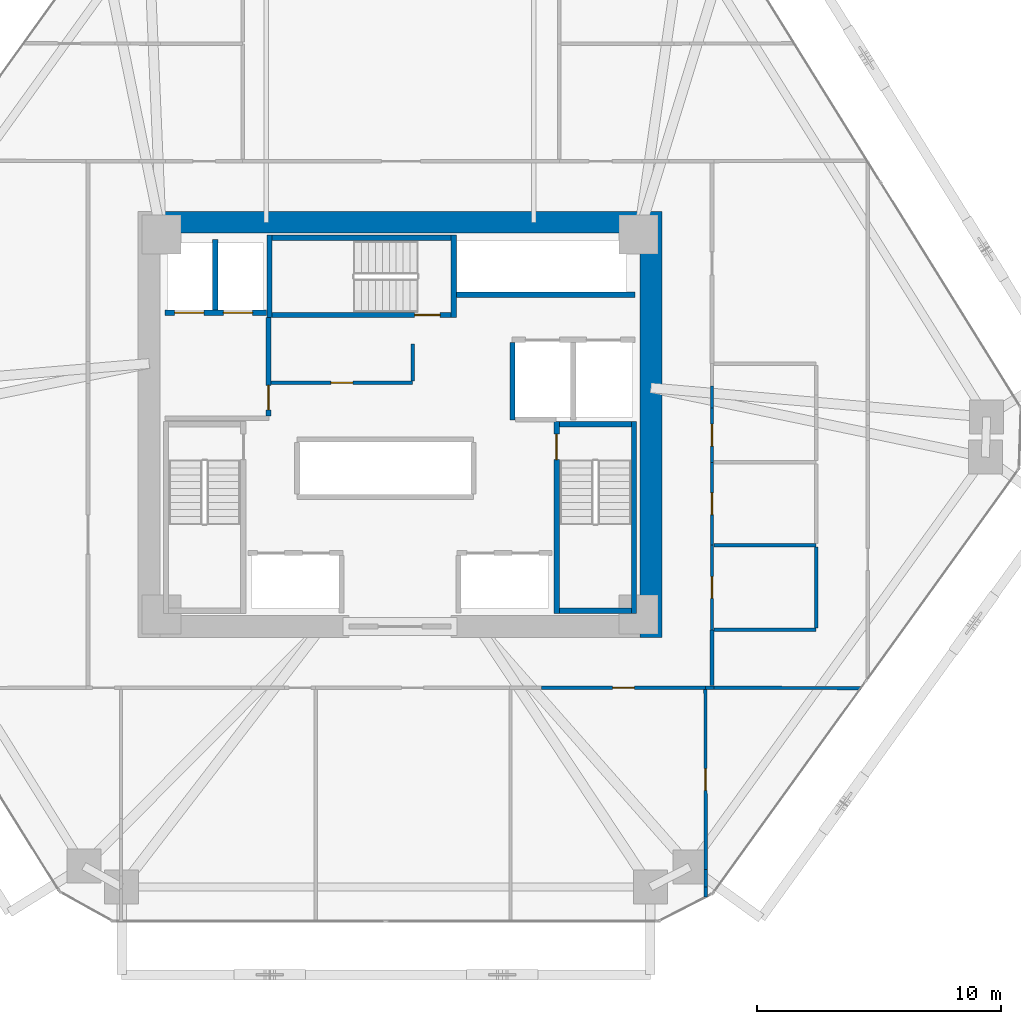
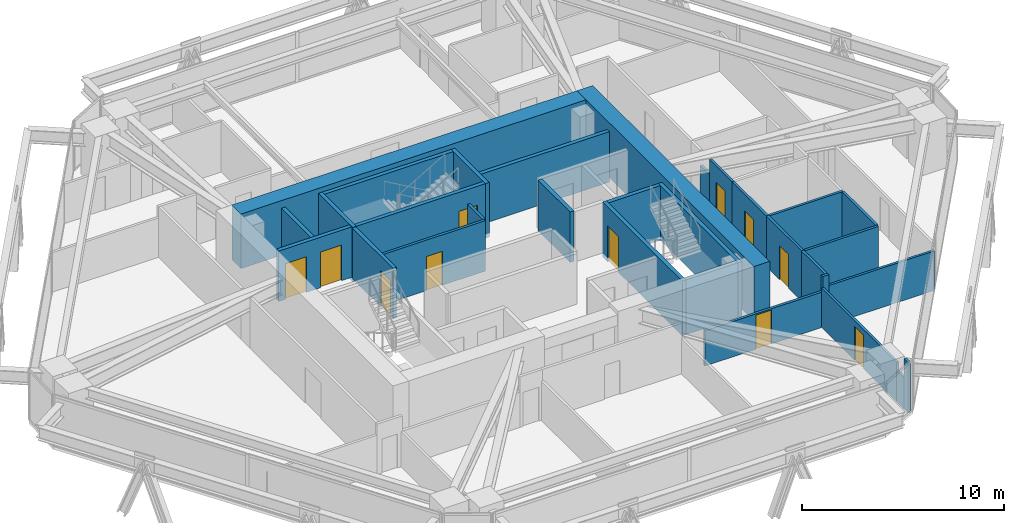
# One storey, part 14 of 17: 31 walls, 11 doors, 11 openings.
"""IFC4 building model written with IfcOpenShell, lengths in metres."""

from ifc_helpers import new_model, si_unit, direction, frame, frame_2d, origin, place, context, subcontext, project, spatial, rectangle, extrude, source, transform, mapped, material, layer, layer_set, type_object, type_shapes, element, fill, save


model = new_model("IFC4")

# Units and contexts
model_context = context("Model", 3, precision=1e-05, world=origin(), true_north=direction((0.0, 1.0)))
body_context = subcontext(model_context, "Body", "Model", "MODEL_VIEW")
ifc_project = project(units=[si_unit("LENGTHUNIT", "METRE"), si_unit("AREAUNIT", "SQUARE_METRE"), si_unit("VOLUMEUNIT", "CUBIC_METRE"), si_unit("PLANEANGLEUNIT", "RADIAN"), si_unit("MASSUNIT", "GRAM", prefix="KILO")], contexts=[model_context])

# Site, building, storey
site_placement = place(None, origin())
site = spatial("IfcSite", under=ifc_project, at=site_placement, CompositionType="ELEMENT")
building_placement = place(site_placement, origin())
building = spatial("IfcBuilding", under=site, at=building_placement, Name="Durnholm Broadcast Tower", CompositionType="ELEMENT")
storey_placement = place(building_placement, frame((0.0, 0.0, 58.800048828125)))
storey = spatial("IfcBuildingStorey", under=building, at=storey_placement, Name="L14", CompositionType="ELEMENT", Elevation=58.800048828125)

# Walls
ifc_material_1 = material(Name="Concrete C70/85", Category="concrete")
ifc_layer_1 = layer(ifc_material_1, 0.89990234375)
ifc_layer_set_1 = layer_set([ifc_layer_1], Name="Concrete C70/85")
wall_type_1 = type_object("IfcWallType", Name="WALL-CW-900", PredefinedType="SHEAR", material=ifc_layer_set_1)
wall_1_placement = place(storey_placement, frame((10.300048828125, -8.75, 0.0), z_axis=(0.0, 0.0, 1.0), x_axis=(0.0, 1.0, 0.0)))
element("IfcWall", 1, at=wall_1_placement, inside=storey, type_object=wall_type_1, Name="L14 central core shear wall CW-EAST", PredefinedType="SHEAR", context=body_context, shape_type="SweptSolid", body=[
    extrude(rectangle(XDim=17.5, YDim=0.89990234375, at=frame_2d((8.75, 0.0))), origin(), (0.0, 0.0, 1.0), 3.300048828125),
])
wall_2_placement = place(storey_placement, frame((-9.85009765625, 8.300048828125, 0.0), z_axis=(0.0, 0.0, 1.0), x_axis=(1.0, 0.0, 0.0)))
element("IfcWall", 2, at=wall_2_placement, inside=storey, type_object=wall_type_1, Name="L14 central core shear wall CW-N", PredefinedType="SHEAR", context=body_context, shape_type="SweptSolid", body=[
    extrude(rectangle(XDim=19.7001953125, YDim=0.89990234375, at=frame_2d((9.85009765625, 0.0))), origin(), (0.0, 0.0, 1.0), 3.300048828125),
])

# Wall, opening, door
ifc_material_2 = material(Name="Fire-Rated Gypsum Shaftwall", Category="concrete")
ifc_layer_2 = layer(ifc_material_2, 0.199951171875)
ifc_layer_set_2 = layer_set([ifc_layer_2], Name="Fire-Rated Gypsum Shaftwall")
wall_type_2 = type_object("IfcWallType", Name="WALL-LOB-200", PredefinedType="SOLIDWALL", material=ifc_layer_set_2)
wall_3_placement = place(storey_placement, frame((-5.39990234375, 0.35400390625, 0.0), z_axis=(0.0, 0.0, 1.0), x_axis=(0.0, 1.0, 0.0)))
wall_3 = element("IfcWall", 3, at=wall_3_placement, inside=storey, type_object=wall_type_2, Name="L14 Fire Service Access Elevator lobby east fire wall", PredefinedType="SOLIDWALL", context=body_context, shape_type="SweptSolid", body=[
    extrude(rectangle(XDim=4.02587890625, YDim=0.199951171875, at=frame_2d((2.012939453125, 0.0))), origin(), (0.0, 0.0, 1.0), 3.044921875),
])
opening_1_placement = place(wall_3_placement, frame((0.24609375, 0.0, 0.0)))
opening_1 = element("IfcOpeningElement", 4, at=opening_1_placement, cuts=wall_3, Name="Opening DL-60L", PredefinedType="OPENING", context=body_context, shape_type="SweptSolid", body=[
    extrude(rectangle(XDim=1.0, YDim=2.14990234375, at=frame_2d((0.5, 1.074951171875))), frame((0.0, 0.10986328125, 0.0), z_axis=(0.0, -1.0, 0.0), x_axis=(1.0, 0.0, 0.0)), (0.0, 0.0, 1.0), 0.219970703125),
])
ifc_material_3 = material(Name="Fire-Rated Timber/Steel Door", Category="steel")
ifc_layer_3 = layer(ifc_material_3, 0.050048828125)
ifc_layer_set_3 = layer_set([ifc_layer_3], Name="Fire-Rated Timber/Steel Door")
door_type_1 = type_object("IfcDoorType", Name="DOOR-LOB-FD60-L", OperationType="NOTDEFINED", PredefinedType="DOOR", material=ifc_layer_set_3)
shared_shape_1 = source(origin(), body_context, "Body", "SweptSolid", [
    extrude(rectangle(XDim=1.0, YDim=2.14990234375, at=frame_2d((0.5, 1.074951171875))), frame((0.0, 0.02490234375, 0.0), z_axis=(0.0, -1.0, 0.0), x_axis=(1.0, 0.0, 0.0)), (0.0, 0.0, 1.0), 0.050048828125),
])
type_shapes(door_type_1, [shared_shape_1])
door_1_placement = place(opening_1_placement, origin())
door_1 = element("IfcDoor", 5, at=door_1_placement, inside=storey, type_object=door_type_1, Name="L14 Fire Service Access Elevator lobby smoke door", OperationType="SINGLE_SWING_LEFT", OverallHeight=2.14990234375, OverallWidth=1.0, PredefinedType="DOOR", context=body_context, shape_type="MappedRepresentation", body=[
    mapped(shared_shape_1, transform((0.0, 0.0, 0.0), x_axis=(1.0, 0.0, 0.0), y_axis=(0.0, 1.0, 0.0), z_axis=(0.0, 0.0, 1.0), scale=1.0)),
])
fill(opening_1, door_1)

ifc_material_4 = material(Name="Gypsum Metal Stud Partition", Category="concrete")
ifc_layer_4 = layer(ifc_material_4, 0.135009765625)
ifc_layer_set_4 = layer_set([ifc_layer_4], Name="Gypsum Metal Stud Partition")
wall_type_3 = type_object("IfcWallType", Name="WALL-PART-135", PredefinedType="PARTITIONING", material=ifc_layer_set_4)
wall_4_placement = place(storey_placement, frame((12.540283203125, -10.888916015625, 0.0), z_axis=(0.0, 0.0, 1.0), x_axis=(0.002115348101, -0.999997762649, 0.0)))
wall_4 = element("IfcWall", 6, at=wall_4_placement, inside=storey, type_object=wall_type_3, Name="L14 room dividing partition 13.14", PredefinedType="PARTITIONING", context=body_context, shape_type="SweptSolid", body=[
    extrude(rectangle(XDim=7.386474609375, YDim=0.135009765625, at=frame_2d((3.693359375, 0.0))), origin(), (0.0, 0.0, 1.0), 2.3798828125),
])
opening_2_placement = place(wall_4_placement, frame((3.2431640625, 0.0, 0.0)))
opening_2 = element("IfcOpeningElement", 7, at=opening_2_placement, cuts=wall_4, Name="Opening DW-90L", PredefinedType="OPENING", context=body_context, shape_type="SweptSolid", body=[
    extrude(rectangle(XDim=0.89990234375, YDim=2.050048828125, at=frame_2d((0.449951171875, 1.02490234375))), frame((0.0, 0.07763671875, 0.0), z_axis=(0.0, -1.0, 0.0), x_axis=(1.0, 0.0, 0.0)), (0.0, 0.0, 1.0), 0.155029296875),
])
ifc_material_5 = material(Name="Laminate Restroom Door", Category="steel")
ifc_layer_5 = layer(ifc_material_5, 0.050048828125)
ifc_layer_set_5 = layer_set([ifc_layer_5], Name="Laminate Restroom Door")
door_type_2 = type_object("IfcDoorType", Name="DOOR-WC-900L", OperationType="NOTDEFINED", PredefinedType="DOOR", material=ifc_layer_set_5)
shared_shape_2 = source(origin(), body_context, "Body", "SweptSolid", [
    extrude(rectangle(XDim=0.89990234375, YDim=2.050048828125, at=frame_2d((0.449951171875, 1.02490234375))), frame((0.0, 0.02490234375, 0.0), z_axis=(0.0, -1.0, 0.0), x_axis=(1.0, 0.0, 0.0)), (0.0, 0.0, 1.0), 0.050048828125),
])
type_shapes(door_type_2, [shared_shape_2])
door_2_placement = place(opening_2_placement, origin())
door_2 = element("IfcDoor", 8, at=door_2_placement, inside=storey, type_object=door_type_2, Name="L14 Investigative Meeting Room connecting door", OperationType="SINGLE_SWING_LEFT", OverallHeight=2.050048828125, OverallWidth=0.89990234375, PredefinedType="DOOR", context=body_context, shape_type="MappedRepresentation", body=[
    mapped(shared_shape_2, transform((0.0, 0.0, 0.0), x_axis=(1.0, 0.0, 0.0), y_axis=(0.0, 1.0, 0.0), z_axis=(0.0, 0.0, 1.0), scale=1.0)),
])
fill(opening_2, door_2)

# Walls
wall_5_placement = place(storey_placement, frame((12.557373046875, -18.99755859375, 0.0), z_axis=(0.0, 0.0, 1.0), x_axis=(0.001783588126, -0.999998409405, 0.0)))
element("IfcWall", 9, at=wall_5_placement, inside=storey, type_object=wall_type_3, Name="L14 room dividing partition 13.14", PredefinedType="PARTITIONING", context=body_context, shape_type="SweptSolid", body=[
    extrude(rectangle(XDim=0.41064453125, YDim=0.135009765625, at=frame_2d((0.205322265625, 0.0))), origin(), (0.0, 0.0, 1.0), 3.044921875),
])
wall_6_placement = place(storey_placement, frame((12.555908203125, -18.275390625, 0.0), z_axis=(0.0, 0.0, 1.0), x_axis=(0.002028393393, -0.999997942808, 0.0)))
element("IfcWall", 10, at=wall_6_placement, inside=storey, type_object=wall_type_3, Name="L14 room dividing partition 13.14", PredefinedType="PARTITIONING", context=body_context, shape_type="SweptSolid", body=[
    extrude(rectangle(XDim=0.72216796875, YDim=0.135009765625, at=frame_2d((0.361083984375, 0.0))), origin(), (0.0, 0.0, 1.0), 1.877197265625),
])
wall_7_placement = place(storey_placement, frame((12.889892578125, -10.810302734375, 0.0), z_axis=(0.0, 0.0, 1.0), x_axis=(0.999992607823, -0.003845035728, 0.0)))
element("IfcWall", 11, at=wall_7_placement, inside=storey, type_object=wall_type_3, Name="L14 room dividing partition 14.16", PredefinedType="PARTITIONING", context=body_context, shape_type="SweptSolid", body=[
    extrude(rectangle(XDim=6.031982421875, YDim=0.135009765625, at=frame_2d((3.01611328125, 0.0))), origin(), (0.0, 0.0, 1.0), 2.3798828125),
])

# Wall, opening, door
ifc_material_6 = material(Name="Acoustic Gypsum Stud Partition", Category="concrete")
ifc_layer_6 = layer(ifc_material_6, 0.14990234375)
ifc_layer_set_6 = layer_set([ifc_layer_6], Name="Acoustic Gypsum Stud Partition")
wall_type_4 = type_object("IfcWallType", Name="WALL-PART-150", PredefinedType="PARTITIONING", material=ifc_layer_set_6)
wall_8_placement = place(storey_placement, frame((0.52001953125, 1.7099609375, 0.0), z_axis=(0.0, 0.0, 1.0), x_axis=(-1.0, 0.0, 0.0)))
wall_8 = element("IfcWall", 12, at=wall_8_placement, inside=storey, type_object=wall_type_4, Name="L14 Core Housekeeping Room corridor partition", PredefinedType="PARTITIONING", context=body_context, shape_type="SweptSolid", body=[
    extrude(rectangle(XDim=5.81591796875, YDim=0.14990234375, at=frame_2d((2.907958984375, 0.0))), origin(), (0.0, 0.0, 1.0), 3.044921875),
])
opening_3_placement = place(wall_8_placement, frame((2.4580078125, 0.0, 0.0)))
opening_3 = element("IfcOpeningElement", 13, at=opening_3_placement, cuts=wall_8, Name="Opening DC-60R", PredefinedType="OPENING", context=body_context, shape_type="SweptSolid", body=[
    extrude(rectangle(XDim=0.89990234375, YDim=2.050048828125, at=frame_2d((0.449951171875, 1.02490234375))), frame((0.0, 0.0849609375, 0.0), z_axis=(0.0, -1.0, 0.0), x_axis=(1.0, 0.0, 0.0)), (0.0, 0.0, 1.0), 0.169921875),
])
ifc_material_7 = material(Name="Fire-Rated Core Service Door", Category="steel")
ifc_layer_7 = layer(ifc_material_7, 0.050048828125)
ifc_layer_set_7 = layer_set([ifc_layer_7], Name="Fire-Rated Core Service Door")
door_type_3 = type_object("IfcDoorType", Name="DOOR-CORE-FD60-R", OperationType="NOTDEFINED", PredefinedType="DOOR", material=ifc_layer_set_7)
shared_shape_3 = source(origin(), body_context, "Body", "SweptSolid", [
    extrude(rectangle(XDim=0.89990234375, YDim=2.050048828125, at=frame_2d((0.449951171875, 1.02490234375))), frame((0.0, 0.02490234375, 0.0), z_axis=(0.0, -1.0, 0.0), x_axis=(1.0, 0.0, 0.0)), (0.0, 0.0, 1.0), 0.050048828125),
])
type_shapes(door_type_3, [shared_shape_3])
door_3_placement = place(opening_3_placement, origin())
door_3 = element("IfcDoor", 14, at=door_3_placement, inside=storey, type_object=door_type_3, Name="L14 Core Housekeeping Room entrance door", OperationType="SINGLE_SWING_RIGHT", OverallHeight=2.050048828125, OverallWidth=0.89990234375, PredefinedType="DOOR", context=body_context, shape_type="MappedRepresentation", body=[
    mapped(shared_shape_3, transform((0.0, 0.0, 0.0), x_axis=(1.0, 0.0, 0.0), y_axis=(0.0, 1.0, 0.0), z_axis=(0.0, 0.0, 1.0), scale=1.0)),
])
fill(opening_3, door_3)

# Wall
wall_9_placement = place(storey_placement, frame((0.52001953125, 3.300048828125, 0.0), z_axis=(0.0, 0.0, 1.0), x_axis=(0.0, -1.0, 0.0)))
element("IfcWall", 15, at=wall_9_placement, inside=storey, type_object=wall_type_4, Name="L14 Core Housekeeping Room corridor partition", PredefinedType="PARTITIONING", context=body_context, shape_type="SweptSolid", body=[
    extrude(rectangle(XDim=1.510986328125, YDim=0.14990234375, at=frame_2d((0.75537109375, 0.0))), origin(), (0.0, 0.0, 1.0), 3.044921875),
])

# Wall, opening, door
wall_10_placement = place(storey_placement, frame((5.8173828125, -10.81005859375, 0.0), z_axis=(0.0, 0.0, 1.0), x_axis=(1.0, 0.0, 0.0)))
wall_10 = element("IfcWall", 16, at=wall_10_placement, inside=storey, type_object=wall_type_4, Name="L14 Open Plan Broadcast Workspace 4 corridor partition", PredefinedType="PARTITIONING", context=body_context, shape_type="SweptSolid", body=[
    extrude(rectangle(XDim=6.72265625, YDim=0.14990234375, at=frame_2d((3.361328125, 0.0))), origin(), (0.0, 0.0, 1.0), 2.130126953125),
])
opening_4_placement = place(wall_10_placement, frame((2.911376953125, 0.0, 0.0)))
opening_4 = element("IfcOpeningElement", 17, at=opening_4_placement, cuts=wall_10, Name="Opening DW-90R", PredefinedType="OPENING", context=body_context, shape_type="SweptSolid", body=[
    extrude(rectangle(XDim=0.89990234375, YDim=2.050048828125, at=frame_2d((0.449951171875, 1.02490234375))), frame((0.0, 0.0849609375, 0.0), z_axis=(0.0, -1.0, 0.0), x_axis=(1.0, 0.0, 0.0)), (0.0, 0.0, 1.0), 0.169921875),
])
ifc_layer_8 = layer(ifc_material_5, 0.050048828125)
ifc_layer_set_8 = layer_set([ifc_layer_8], Name="Laminate Restroom Door")
door_type_4 = type_object("IfcDoorType", Name="DOOR-WC-900R", OperationType="NOTDEFINED", PredefinedType="DOOR", material=ifc_layer_set_8)
shared_shape_4 = source(origin(), body_context, "Body", "SweptSolid", [
    extrude(rectangle(XDim=0.89990234375, YDim=2.050048828125, at=frame_2d((0.449951171875, 1.02490234375))), frame((0.0, 0.02490234375, 0.0), z_axis=(0.0, -1.0, 0.0), x_axis=(1.0, 0.0, 0.0)), (0.0, 0.0, 1.0), 0.050048828125),
])
type_shapes(door_type_4, [shared_shape_4])
door_4_placement = place(opening_4_placement, origin())
door_4 = element("IfcDoor", 18, at=door_4_placement, inside=storey, type_object=door_type_4, Name="L14 Open Plan Broadcast Workspace 4 entrance door", OperationType="SINGLE_SWING_RIGHT", OverallHeight=2.050048828125, OverallWidth=0.89990234375, PredefinedType="DOOR", context=body_context, shape_type="MappedRepresentation", body=[
    mapped(shared_shape_4, transform((0.0, 0.0, 0.0), x_axis=(1.0, 0.0, 0.0), y_axis=(0.0, 1.0, 0.0), z_axis=(0.0, 0.0, 1.0), scale=1.0)),
])
fill(opening_4, door_4)

# Walls
wall_11_placement = place(storey_placement, frame((12.5400390625, -10.81005859375, 0.0), z_axis=(0.0, 0.0, 1.0), x_axis=(1.0, 0.0, 0.0)))
element("IfcWall", 19, at=wall_11_placement, inside=storey, type_object=wall_type_4, Name="L14 Investigative Meeting Room corridor partition", PredefinedType="PARTITIONING", context=body_context, shape_type="SweptSolid", body=[
    extrude(rectangle(XDim=0.349853515625, YDim=0.14990234375, at=frame_2d((0.1748046875, 0.0))), origin(), (0.0, 0.0, 1.0), 3.044921875),
])
wall_12_placement = place(storey_placement, frame((12.81005859375, -10.73095703125, 0.0), z_axis=(0.0, 0.0, 1.0), x_axis=(0.0, 1.0, 0.0)))
element("IfcWall", 20, at=wall_12_placement, inside=storey, type_object=wall_type_4, Name="L14 Sound Review Lounge corridor partition", PredefinedType="PARTITIONING", context=body_context, shape_type="SweptSolid", body=[
    extrude(rectangle(XDim=2.291015625, YDim=0.14990234375, at=frame_2d((1.1455078125, 0.0))), origin(), (0.0, 0.0, 1.0), 3.044921875),
])

# Wall, openings, doors
ifc_material_8 = material(Name="Concrete Blockwork C30/37", Category="masonry")
ifc_layer_9 = layer(ifc_material_8, 0.219970703125)
ifc_layer_set_9 = layer_set([ifc_layer_9], Name="Concrete Blockwork C30/37")
wall_type_5 = type_object("IfcWallType", Name="WALL-SHAFT-220", PredefinedType="SOLIDWALL", material=ifc_layer_set_9)
wall_13_placement = place(storey_placement, frame((-9.64990234375, 4.580078125, 0.0), z_axis=(0.0, 0.0, 1.0), x_axis=(1.0, 0.0, 0.0)))
wall_13 = element("IfcWall", 21, at=wall_13_placement, inside=storey, type_object=wall_type_5, Name="L14 FSAE hoistway front fire wall", PredefinedType="SOLIDWALL", context=body_context, shape_type="SweptSolid", body=[
    extrude(rectangle(XDim=4.1748046875, YDim=0.219970703125, at=frame_2d((2.08740234375, 0.0))), origin(), (0.0, 0.0, 1.0), 3.044921875),
])
opening_5_placement = place(wall_13_placement, frame((0.39990234375, 0.0, 0.0)))
opening_5 = element("IfcOpeningElement", 22, at=opening_5_placement, cuts=wall_13, Name="Opening LD-FSAE-2", PredefinedType="OPENING", context=body_context, shape_type="SweptSolid", body=[
    extrude(rectangle(XDim=1.199951171875, YDim=2.14990234375, at=frame_2d((0.60009765625, 1.074951171875))), frame((0.0, 0.1201171875, 0.0), z_axis=(0.0, -1.0, 0.0), x_axis=(1.0, 0.0, 0.0)), (0.0, 0.0, 1.0), 0.239990234375),
])
opening_6_placement = place(wall_13_placement, frame((2.39990234375, 0.0, 0.0)))
opening_6 = element("IfcOpeningElement", 23, at=opening_6_placement, cuts=wall_13, Name="Opening LD-FSAE-1", PredefinedType="OPENING", context=body_context, shape_type="SweptSolid", body=[
    extrude(rectangle(XDim=1.199951171875, YDim=2.14990234375, at=frame_2d((0.60009765625, 1.074951171875))), frame((0.0, 0.1201171875, 0.0), z_axis=(0.0, -1.0, 0.0), x_axis=(1.0, 0.0, 0.0)), (0.0, 0.0, 1.0), 0.239990234375),
])
ifc_material_9 = material(Name="Fire Service Access Sliding Landing Door", Category="steel")
ifc_layer_10 = layer(ifc_material_9, 0.050048828125)
ifc_layer_set_10 = layer_set([ifc_layer_10], Name="Fire Service Access Sliding Landing Door")
door_type_5 = type_object("IfcDoorType", Name="DOOR-LIFT-FSAE", OperationType="DOUBLE_DOOR_SLIDING", PredefinedType="DOOR", material=ifc_layer_set_10)
shared_shape_5 = source(origin(), body_context, "Body", "SweptSolid", [
    extrude(rectangle(XDim=1.199951171875, YDim=2.14990234375, at=frame_2d((0.60009765625, 1.074951171875))), frame((0.0, 0.02490234375, 0.0), z_axis=(0.0, -1.0, 0.0), x_axis=(1.0, 0.0, 0.0)), (0.0, 0.0, 1.0), 0.050048828125),
])
type_shapes(door_type_5, [shared_shape_5])
door_5_placement = place(opening_5_placement, origin())
door_5 = element("IfcDoor", 24, at=door_5_placement, inside=storey, type_object=door_type_5, Name="L14 Fire Service Access Elevator FSAE-2 sliding landing door", OperationType="DOUBLE_DOOR_SLIDING", OverallHeight=2.14990234375, OverallWidth=1.199951171875, PredefinedType="DOOR", context=body_context, shape_type="MappedRepresentation", body=[
    mapped(shared_shape_5, transform((0.0, 0.0, 0.0), x_axis=(1.0, 0.0, 0.0), y_axis=(0.0, 1.0, 0.0), z_axis=(0.0, 0.0, 1.0), scale=1.0)),
])
fill(opening_5, door_5)
door_6_placement = place(opening_6_placement, origin())
door_6 = element("IfcDoor", 25, at=door_6_placement, inside=storey, type_object=door_type_5, Name="L14 Fire Service Access Elevator FSAE-1 sliding landing door", OperationType="DOUBLE_DOOR_SLIDING", OverallHeight=2.14990234375, OverallWidth=1.199951171875, PredefinedType="DOOR", context=body_context, shape_type="MappedRepresentation", body=[
    mapped(shared_shape_5, transform((0.0, 0.0, 0.0), x_axis=(1.0, 0.0, 0.0), y_axis=(0.0, 1.0, 0.0), z_axis=(0.0, 0.0, 1.0), scale=1.0)),
])
fill(opening_6, door_6)

# Walls
wall_14_placement = place(storey_placement, frame((-7.580078125, 4.694091796875, 0.0), z_axis=(0.0, 0.0, 1.0), x_axis=(0.0, 1.0, 0.0)))
element("IfcWall", 26, at=wall_14_placement, inside=storey, type_object=wall_type_5, Name="L14 FSAE shaft divider wall", PredefinedType="SOLIDWALL", context=body_context, shape_type="SweptSolid", body=[
    extrude(rectangle(XDim=2.906005859375, YDim=0.219970703125, at=frame_2d((1.453125, 0.0))), origin(), (0.0, 0.0, 1.0), 3.044921875),
])
wall_15_placement = place(storey_placement, frame((4.6201171875, 0.179931640625, 0.0), z_axis=(0.0, 0.0, 1.0), x_axis=(0.0, 1.0, 0.0)))
element("IfcWall", 27, at=wall_15_placement, inside=storey, type_object=wall_type_5, Name="L14 freight service lift SVL-2 west wall", PredefinedType="SOLIDWALL", context=body_context, shape_type="SweptSolid", body=[
    extrude(rectangle(XDim=3.18603515625, YDim=0.219970703125, at=frame_2d((1.593017578125, 0.0))), origin(), (0.0, 0.0, 1.0), 3.044921875),
])
wall_16_placement = place(storey_placement, frame((2.324951171875, 5.320068359375, 0.0), z_axis=(0.0, 0.0, 1.0), x_axis=(1.0, 0.0, 0.0)))
element("IfcWall", 28, at=wall_16_placement, inside=storey, type_object=wall_type_5, Name="L14 high-rise bank P3 south front wall", PredefinedType="SOLIDWALL", context=body_context, shape_type="SweptSolid", body=[
    extrude(rectangle(XDim=7.324951171875, YDim=0.219970703125, at=frame_2d((3.66259765625, 0.0))), origin(), (0.0, 0.0, 1.0), 3.044921875),
])
ifc_material_10 = material(Name="Concrete C50/60", Category="concrete")
ifc_layer_11 = layer(ifc_material_10, 0.219970703125)
ifc_layer_set_11 = layer_set([ifc_layer_11], Name="Concrete C50/60")
wall_type_6 = type_object("IfcWallType", Name="WALL-SW-220", PredefinedType="SHEAR", material=ifc_layer_set_11)
wall_17_placement = place(storey_placement, frame((9.610107421875, -7.77001953125, -0.239990234375), z_axis=(0.0, 0.0, 1.0), x_axis=(0.0, 1.0, 0.0)))
element("IfcWall", 29, at=wall_17_placement, inside=storey, type_object=wall_type_6, Name="L14 stair ST-2 structural shaft wall E", PredefinedType="SHEAR", context=body_context, shape_type="SweptSolid", body=[
    extrude(rectangle(XDim=7.89013671875, YDim=0.219970703125, at=frame_2d((3.945068359375, 0.0))), origin(), (0.0, 0.0, 1.0), 3.300048828125),
])

# Wall, opening, door
wall_18_placement = place(storey_placement, frame((6.429931640625, 0.1201171875, -0.239990234375), z_axis=(0.0, 0.0, 1.0), x_axis=(0.0, -1.0, 0.0)))
wall_18 = element("IfcWall", 30, at=wall_18_placement, inside=storey, type_object=wall_type_6, Name="L14 stair ST-2 structural shaft wall W", PredefinedType="SHEAR", context=body_context, shape_type="SweptSolid", body=[
    extrude(rectangle(XDim=7.89013671875, YDim=0.219970703125, at=frame_2d((3.945068359375, 0.0))), origin(), (0.0, 0.0, 1.0), 3.300048828125),
])
opening_7_placement = place(wall_18_placement, frame((0.52001953125, 0.0, 0.0)))
opening_7 = element("IfcOpeningElement", 31, at=opening_7_placement, cuts=wall_18, Name="Opening DS-90R", PredefinedType="OPENING", context=body_context, shape_type="SweptSolid", body=[
    extrude(rectangle(XDim=1.050048828125, YDim=2.14990234375, at=frame_2d((0.52490234375, 1.074951171875))), frame((0.0, 0.1201171875, 0.0), z_axis=(0.0, -1.0, 0.0), x_axis=(1.0, 0.0, 0.0)), (0.0, 0.0, 1.0), 0.239990234375),
])
ifc_material_11 = material(Name="Fire-Rated Steel Door", Category="steel")
ifc_layer_12 = layer(ifc_material_11, 0.050048828125)
ifc_layer_set_12 = layer_set([ifc_layer_12], Name="Fire-Rated Steel Door")
door_type_6 = type_object("IfcDoorType", Name="DOOR-ST-FD90-R", OperationType="NOTDEFINED", PredefinedType="DOOR", material=ifc_layer_set_12)
shared_shape_6 = source(origin(), body_context, "Body", "SweptSolid", [
    extrude(rectangle(XDim=1.050048828125, YDim=2.14990234375, at=frame_2d((0.52490234375, 1.074951171875))), frame((0.0, 0.02490234375, 0.0), z_axis=(0.0, -1.0, 0.0), x_axis=(1.0, 0.0, 0.0)), (0.0, 0.0, 1.0), 0.050048828125),
])
type_shapes(door_type_6, [shared_shape_6])
door_7_placement = place(opening_7_placement, origin())
door_7 = element("IfcDoor", 32, at=door_7_placement, inside=storey, type_object=door_type_6, Name="L14 exit stair ST-2 fire door", OperationType="SINGLE_SWING_RIGHT", OverallHeight=2.14990234375, OverallWidth=1.050048828125, PredefinedType="DOOR", context=body_context, shape_type="MappedRepresentation", body=[
    mapped(shared_shape_6, transform((0.0, 0.0, 0.0), x_axis=(1.0, 0.0, 0.0), y_axis=(0.0, 1.0, 0.0), z_axis=(0.0, 0.0, 1.0), scale=1.0)),
])
fill(opening_7, door_7)

# Walls
for number, where, z_axis, x_axis, name in (
    (33, (6.5400390625, -7.659912109375, -0.239990234375), (0.0, 0.0, 1.0), (1.0, 0.0, 0.0), "L14 stair ST-2 structural shaft wall S"),
    (34, (9.5, 0.010009765625, -0.239990234375), (0.0, 0.0, 1.0), (-1.0, 0.0, 0.0), "L14 stair ST-2 structural shaft wall N"),
):
    element("IfcWall", number, at=place(storey_placement, frame(where, z_axis=z_axis, x_axis=x_axis)), inside=storey, type_object=wall_type_6, Name=name, PredefinedType="SHEAR", context=body_context, shape_type="SweptSolid", body=[
        extrude(rectangle(XDim=2.9599609375, YDim=0.219970703125, at=frame_2d((1.47998046875, 0.0))), origin(), (0.0, 0.0, 1.0), 3.300048828125),
    ])
for number, where, z_axis, x_axis, name in (
    (35, (2.2099609375, 4.3798828125, -0.239990234375), (0.0, 0.0, 1.0), (0.0, 1.0, 0.0), "L14 stair ST-3 structural shaft wall E"),
    (36, (-5.360107421875, 7.780029296875, -0.239990234375), (0.0, 0.0, 1.0), (0.0, -1.0, 0.0), "L14 stair ST-3 structural shaft wall W"),
):
    element("IfcWall", number, at=place(storey_placement, frame(where, z_axis=z_axis, x_axis=x_axis)), inside=storey, type_object=wall_type_6, Name=name, PredefinedType="SHEAR", context=body_context, shape_type="SweptSolid", body=[
        extrude(rectangle(XDim=3.400146484375, YDim=0.219970703125, at=frame_2d((1.7001953125, 0.0))), origin(), (0.0, 0.0, 1.0), 3.300048828125),
    ])

# Wall, opening, door
wall_19_placement = place(storey_placement, frame((-5.25, 4.489990234375, -0.239990234375), z_axis=(0.0, 0.0, 1.0), x_axis=(1.0, 0.0, 0.0)))
wall_19 = element("IfcWall", 37, at=wall_19_placement, inside=storey, type_object=wall_type_6, Name="L14 stair ST-3 structural shaft wall S", PredefinedType="SHEAR", context=body_context, shape_type="SweptSolid", body=[
    extrude(rectangle(XDim=7.35009765625, YDim=0.219970703125, at=frame_2d((3.675048828125, 0.0))), origin(), (0.0, 0.0, 1.0), 3.300048828125),
])
opening_8_placement = place(wall_19_placement, frame((5.85009765625, 0.0, 0.0)))
opening_8 = element("IfcOpeningElement", 38, at=opening_8_placement, cuts=wall_19, Name="Opening DS-90L", PredefinedType="OPENING", context=body_context, shape_type="SweptSolid", body=[
    extrude(rectangle(XDim=1.050048828125, YDim=2.14990234375, at=frame_2d((0.52490234375, 1.074951171875))), frame((0.0, 0.1201171875, 0.0), z_axis=(0.0, -1.0, 0.0), x_axis=(1.0, 0.0, 0.0)), (0.0, 0.0, 1.0), 0.239990234375),
])
ifc_layer_13 = layer(ifc_material_11, 0.050048828125)
ifc_layer_set_13 = layer_set([ifc_layer_13], Name="Fire-Rated Steel Door")
door_type_7 = type_object("IfcDoorType", Name="DOOR-ST-FD90-L", OperationType="NOTDEFINED", PredefinedType="DOOR", material=ifc_layer_set_13)
shared_shape_7 = source(origin(), body_context, "Body", "SweptSolid", [
    extrude(rectangle(XDim=1.050048828125, YDim=2.14990234375, at=frame_2d((0.52490234375, 1.074951171875))), frame((0.0, 0.02490234375, 0.0), z_axis=(0.0, -1.0, 0.0), x_axis=(1.0, 0.0, 0.0)), (0.0, 0.0, 1.0), 0.050048828125),
])
type_shapes(door_type_7, [shared_shape_7])
door_8_placement = place(opening_8_placement, origin())
door_8 = element("IfcDoor", 39, at=door_8_placement, inside=storey, type_object=door_type_7, Name="L14 exit stair ST-3 fire door", OperationType="SINGLE_SWING_LEFT", OverallHeight=2.14990234375, OverallWidth=1.050048828125, PredefinedType="DOOR", context=body_context, shape_type="MappedRepresentation", body=[
    mapped(shared_shape_7, transform((0.0, 0.0, 0.0), x_axis=(1.0, 0.0, 0.0), y_axis=(0.0, 1.0, 0.0), z_axis=(0.0, 0.0, 1.0), scale=1.0)),
])
fill(opening_8, door_8)

# Wall
wall_20_placement = place(storey_placement, frame((2.10009765625, 7.669921875, -0.239990234375), z_axis=(0.0, 0.0, 1.0), x_axis=(-1.0, 0.0, 0.0)))
element("IfcWall", 40, at=wall_20_placement, inside=storey, type_object=wall_type_6, Name="L14 stair ST-3 structural shaft wall N", PredefinedType="SHEAR", context=body_context, shape_type="SweptSolid", body=[
    extrude(rectangle(XDim=7.35009765625, YDim=0.219970703125, at=frame_2d((3.675048828125, 0.0))), origin(), (0.0, 0.0, 1.0), 3.300048828125),
])

# Wall, opening, door
ifc_material_12 = material(Name="Moisture-Resistant Tile Partition", Category="concrete")
ifc_layer_14 = layer(ifc_material_12, 0.139892578125)
ifc_layer_set_14 = layer_set([ifc_layer_14], Name="Moisture-Resistant Tile Partition")
wall_type_7 = type_object("IfcWallType", Name="WALL-WC-140", PredefinedType="PARTITIONING", material=ifc_layer_set_14)
wall_21_placement = place(storey_placement, frame((12.81005859375, -8.43994140625, 0.0), z_axis=(0.0, 0.0, 1.0), x_axis=(0.0, 1.0, 0.0)))
wall_21 = element("IfcWall", 41, at=wall_21_placement, inside=storey, type_object=wall_type_7, Name="L14 Men's Restroom corridor partition", PredefinedType="PARTITIONING", context=body_context, shape_type="SweptSolid", body=[
    extrude(rectangle(XDim=3.47998046875, YDim=0.139892578125, at=frame_2d((1.739990234375, 0.0))), origin(), (0.0, 0.0, 1.0), 3.044921875),
])
opening_9_placement = place(wall_21_placement, frame((1.2900390625, 0.0, 0.0)))
opening_9 = element("IfcOpeningElement", 42, at=opening_9_placement, cuts=wall_21, Name="Opening DW-90L", PredefinedType="OPENING", context=body_context, shape_type="SweptSolid", body=[
    extrude(rectangle(XDim=0.89990234375, YDim=2.050048828125, at=frame_2d((0.449951171875, 1.02490234375))), frame((0.0, 0.080078125, 0.0), z_axis=(0.0, -1.0, 0.0), x_axis=(1.0, 0.0, 0.0)), (0.0, 0.0, 1.0), 0.159912109375),
])
door_9_placement = place(opening_9_placement, origin())
door_9 = element("IfcDoor", 43, at=door_9_placement, inside=storey, type_object=door_type_2, Name="L14 Men's Restroom entrance door", OperationType="SINGLE_SWING_LEFT", OverallHeight=2.050048828125, OverallWidth=0.89990234375, PredefinedType="DOOR", context=body_context, shape_type="MappedRepresentation", body=[
    mapped(shared_shape_2, transform((0.0, 0.0, 0.0), x_axis=(1.0, 0.0, 0.0), y_axis=(0.0, 1.0, 0.0), z_axis=(0.0, 0.0, 1.0), scale=1.0)),
])
fill(opening_9, door_9)

wall_22_placement = place(storey_placement, frame((12.81005859375, -4.9599609375, 0.0), z_axis=(0.0, 0.0, 1.0), x_axis=(0.0, 1.0, 0.0)))
wall_22 = element("IfcWall", 44, at=wall_22_placement, inside=storey, type_object=wall_type_7, Name="L14 Women's Restroom corridor partition", PredefinedType="PARTITIONING", context=body_context, shape_type="SweptSolid", body=[
    extrude(rectangle(XDim=3.39990234375, YDim=0.139892578125, at=frame_2d((1.699951171875, 0.0))), origin(), (0.0, 0.0, 1.0), 3.044921875),
])
opening_10_placement = place(wall_22_placement, frame((1.25, 0.0, 0.0)))
opening_10 = element("IfcOpeningElement", 45, at=opening_10_placement, cuts=wall_22, Name="Opening DW-90R", PredefinedType="OPENING", context=body_context, shape_type="SweptSolid", body=[
    extrude(rectangle(XDim=0.89990234375, YDim=2.050048828125, at=frame_2d((0.449951171875, 1.02490234375))), frame((0.0, 0.080078125, 0.0), z_axis=(0.0, -1.0, 0.0), x_axis=(1.0, 0.0, 0.0)), (0.0, 0.0, 1.0), 0.159912109375),
])
door_10_placement = place(opening_10_placement, origin())
door_10 = element("IfcDoor", 46, at=door_10_placement, inside=storey, type_object=door_type_4, Name="L14 Women's Restroom entrance door", OperationType="SINGLE_SWING_RIGHT", OverallHeight=2.050048828125, OverallWidth=0.89990234375, PredefinedType="DOOR", context=body_context, shape_type="MappedRepresentation", body=[
    mapped(shared_shape_4, transform((0.0, 0.0, 0.0), x_axis=(1.0, 0.0, 0.0), y_axis=(0.0, 1.0, 0.0), z_axis=(0.0, 0.0, 1.0), scale=1.0)),
])
fill(opening_10, door_10)

wall_23_placement = place(storey_placement, frame((12.81005859375, -1.56005859375, 0.0), z_axis=(0.0, 0.0, 1.0), x_axis=(0.0, 1.0, 0.0)))
wall_23 = element("IfcWall", 47, at=wall_23_placement, inside=storey, type_object=wall_type_7, Name="L14 Accessible Restroom corridor partition", PredefinedType="PARTITIONING", context=body_context, shape_type="SweptSolid", body=[
    extrude(rectangle(XDim=2.231201171875, YDim=0.139892578125, at=frame_2d((1.11572265625, 0.0))), origin(), (0.0, 0.0, 1.0), 3.044921875),
])
opening_11_placement = place(wall_23_placement, frame((0.66552734375, 0.0, 0.0)))
opening_11 = element("IfcOpeningElement", 48, at=opening_11_placement, cuts=wall_23, Name="Opening DW-90L", PredefinedType="OPENING", context=body_context, shape_type="SweptSolid", body=[
    extrude(rectangle(XDim=0.89990234375, YDim=2.050048828125, at=frame_2d((0.449951171875, 1.02490234375))), frame((0.0, 0.080078125, 0.0), z_axis=(0.0, -1.0, 0.0), x_axis=(1.0, 0.0, 0.0)), (0.0, 0.0, 1.0), 0.159912109375),
])
door_11_placement = place(opening_11_placement, origin())
door_11 = element("IfcDoor", 49, at=door_11_placement, inside=storey, type_object=door_type_2, Name="L14 Accessible Restroom entrance door", OperationType="SINGLE_SWING_LEFT", OverallHeight=2.050048828125, OverallWidth=0.89990234375, PredefinedType="DOOR", context=body_context, shape_type="MappedRepresentation", body=[
    mapped(shared_shape_2, transform((0.0, 0.0, 0.0), x_axis=(1.0, 0.0, 0.0), y_axis=(0.0, 1.0, 0.0), z_axis=(0.0, 0.0, 1.0), scale=1.0)),
])
fill(opening_11, door_11)

# Walls
wall_24_placement = place(storey_placement, frame((12.81005859375, 0.671142578125, 0.0), z_axis=(0.0, 0.0, 1.0), x_axis=(0.0, 1.0, 0.0)))
element("IfcWall", 50, at=wall_24_placement, inside=storey, type_object=wall_type_7, Name="L14 Accessible Restroom corridor partition", PredefinedType="PARTITIONING", context=body_context, shape_type="SweptSolid", body=[
    extrude(rectangle(XDim=0.91357421875, YDim=0.139892578125, at=frame_2d((0.456787109375, 0.0))), origin(), (0.0, 0.0, 1.0), 2.130126953125),
])
wall_25_placement = place(storey_placement, frame((12.884033203125, -4.9599609375, 0.0), z_axis=(0.0, 0.0, 1.0), x_axis=(1.0, 0.0, 0.0)))
element("IfcWall", 51, at=wall_25_placement, inside=storey, type_object=wall_type_7, Name="L14 room dividing partition 2.3", PredefinedType="PARTITIONING", context=body_context, shape_type="SweptSolid", body=[
    extrude(rectangle(XDim=4.2060546875, YDim=0.139892578125, at=frame_2d((2.10302734375, 0.0))), origin(), (0.0, 0.0, 1.0), 3.044921875),
])
wall_26_placement = place(storey_placement, frame((17.090087890625, -8.43994140625, 0.0), z_axis=(0.0, 0.0, 1.0), x_axis=(-1.0, 0.0, 0.0)))
element("IfcWall", 52, at=wall_26_placement, inside=storey, type_object=wall_type_7, Name="L14 room dividing partition 2.16", PredefinedType="PARTITIONING", context=body_context, shape_type="SweptSolid", body=[
    extrude(rectangle(XDim=4.201171875, YDim=0.139892578125, at=frame_2d((2.1005859375, 0.0))), origin(), (0.0, 0.0, 1.0), 3.044921875),
])
wall_27_placement = place(storey_placement, frame((17.090087890625, -5.033935546875, 0.0), z_axis=(0.0, 0.0, 1.0), x_axis=(0.0, -1.0, 0.0)))
element("IfcWall", 53, at=wall_27_placement, inside=storey, type_object=wall_type_7, Name="L14 room dividing partition 2.16", PredefinedType="PARTITIONING", context=body_context, shape_type="SweptSolid", body=[
    extrude(rectangle(XDim=3.33203125, YDim=0.139892578125, at=frame_2d((1.666015625, 0.0))), origin(), (0.0, 0.0, 1.0), 3.044921875),
])

save(model, "model.ifc")
